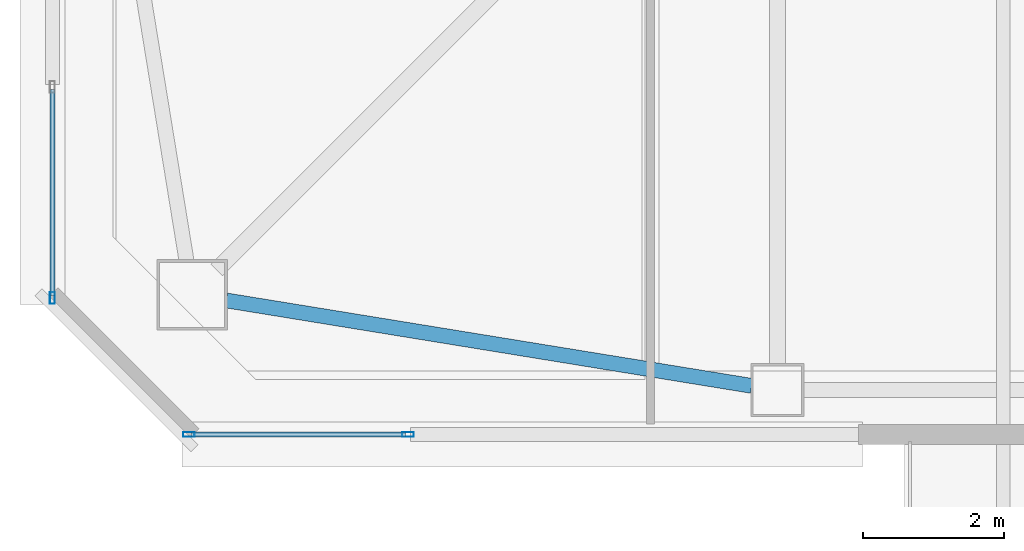
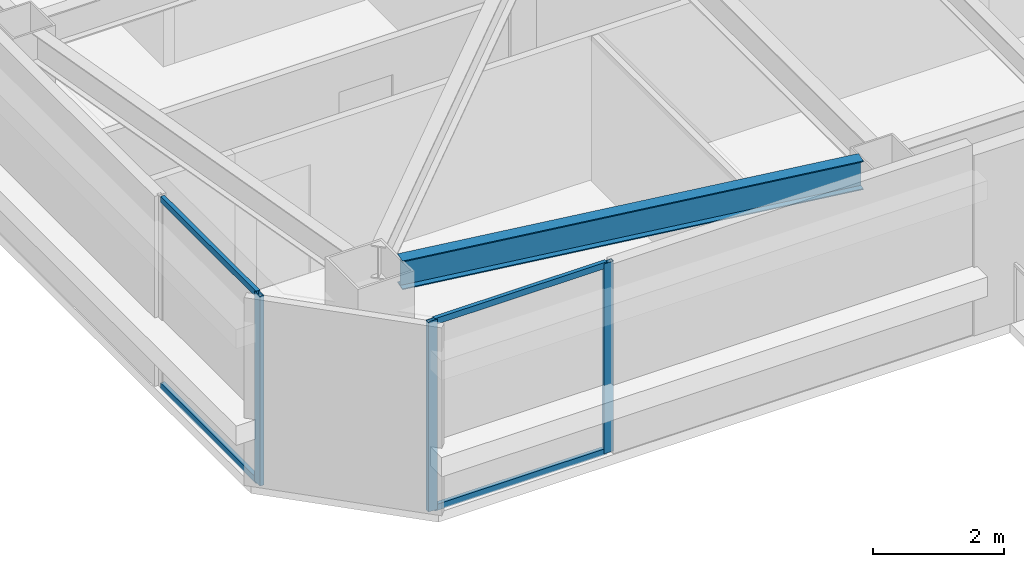
# One storey, part 3 of 36: 7 members, 1 beam, 2 elements without a shape of their own.
"""IFC4 building model written with IfcOpenShell, lengths in metres."""

from ifc_helpers import new_model, si_unit, direction, frame, origin, origin_2d, place, context, subcontext, project, spatial, hollow_rectangle, i_section, extrude, material, material_profile, profile_set, type_object, element, aggregate, save


model = new_model("IFC4")

# Units and contexts
model_context = context("Model", 3, precision=1e-05, world=origin(), true_north=direction((0.0, 1.0)))
body_context = subcontext(model_context, "Body", "Model", "MODEL_VIEW")
ifc_project = project(units=[si_unit("LENGTHUNIT", "METRE"), si_unit("AREAUNIT", "SQUARE_METRE"), si_unit("VOLUMEUNIT", "CUBIC_METRE"), si_unit("PLANEANGLEUNIT", "RADIAN"), si_unit("MASSUNIT", "GRAM", prefix="KILO")], contexts=[model_context])

# Site, building, storey
site_placement = place(None, origin())
site = spatial("IfcSite", under=ifc_project, at=site_placement, CompositionType="ELEMENT")
building_placement = place(site_placement, origin())
building = spatial("IfcBuilding", under=site, at=building_placement, Name="Tashvorn Skyway Center", CompositionType="ELEMENT")
storey_placement = place(building_placement, frame((0.0, 0.0, 236.14990234375)))
storey = spatial("IfcBuildingStorey", under=building, at=storey_placement, Name="L64", CompositionType="ELEMENT", Elevation=236.14990234375)

# Beam
ifc_material_1 = material(Name="Steel ASTM A992 Grade 50", Category="steel")
ifc_material_profile_1 = material_profile(ifc_material_1, i_section(OverallWidth=0.2109375, OverallDepth=0.5390625, WebThickness=0.01171875, FlangeThickness=0.018798828125, at=origin_2d()), Name="W21X73")
ifc_profile_set_1 = profile_set([ifc_material_profile_1], Name="Steel ASTM A992 Grade 50")
beam_type = type_object("IfcBeamType", Name="BM-SPANDREL-W21X73", PredefinedType="SPANDREL", material=ifc_profile_set_1)
beam_placement = place(storey_placement, frame((28.78857421875, 18.220458984375, 3.1005859375), z_axis=(0.987033514444, -0.160514302677, 0.0), x_axis=(0.160514302677, 0.987033514444, 0.0)))
element("IfcBeam", 1, at=beam_placement, inside=storey, type_object=beam_type, Name="Tower 1 L64 Spandrel Beam 01", PredefinedType="SPANDREL", context=body_context, shape_type="SweptSolid", body=[
    extrude(i_section(OverallWidth=0.2109375, OverallDepth=0.5390625, WebThickness=0.01171875, FlangeThickness=0.018798828125, at=origin_2d()), origin(), (0.0, 0.0, 1.0), 7.544189453125),
])

# Curtain wall, members
ifc_material_2 = material(Name="Thermally broken bronze-anodized aluminium 6063-T6", Category="aluminium")
curtain_wall_type = type_object("IfcCurtainWallType", Name="CW-CW-Z5", PredefinedType="NOTDEFINED", material=ifc_material_2)
curtain_wall_1_placement = place(storey_placement, origin())
curtain_wall_1 = element("IfcCurtainWall", 2, at=curtain_wall_1_placement, inside=storey, type_object=curtain_wall_type, Name="Tower 1 L64 South Curtain Wall R Glazing Group 1", PredefinedType="NOTDEFINED")
ifc_material_profile_2 = material_profile(ifc_material_2, hollow_rectangle(XDim=0.070068359375, YDim=0.1650390625, WallThickness=0.00390625, at=origin_2d()), Name="ALU-MULL-70x165")
ifc_profile_set_2 = profile_set([ifc_material_profile_2], Name="Thermally broken bronze-anodized aluminium 6063-T6")
member_type_1 = type_object("IfcMemberType", Name="CWM-CW-Z5", PredefinedType="MULLION", material=ifc_profile_set_2)
member_1_placement = place(storey_placement, frame((31.36181640625, 16.320068359375, 0.0), z_axis=(0.0, 0.0, 1.0), x_axis=(0.0, -1.0, 0.0)))
member_1 = element("IfcMember", 3, at=member_1_placement, type_object=member_type_1, Name="CW-Z5 mullion 1", PredefinedType="MULLION", context=body_context, shape_type="SweptSolid", body=[
    extrude(hollow_rectangle(XDim=0.070068359375, YDim=0.1650390625, WallThickness=0.00390625, at=origin_2d()), origin(), (0.0, 0.0, 1.0), 3.550048828125),
])
member_2_placement = place(storey_placement, frame((28.2548828125, 16.320068359375, 0.0), z_axis=(0.0, 0.0, 1.0), x_axis=(0.0, -1.0, 0.0)))
member_2 = element("IfcMember", 4, at=member_2_placement, type_object=member_type_1, Name="CW-Z5 mullion 2", PredefinedType="MULLION", context=body_context, shape_type="SweptSolid", body=[
    extrude(hollow_rectangle(XDim=0.070068359375, YDim=0.1650390625, WallThickness=0.00390625, at=origin_2d()), origin(), (0.0, 0.0, 1.0), 3.550048828125),
])

# Curtain wall, member
curtain_wall_2_placement = place(storey_placement, origin())
curtain_wall_2 = element("IfcCurtainWall", 5, at=curtain_wall_2_placement, inside=storey, type_object=curtain_wall_type, Name="Tower 1 L64 West Unitised Curtain Wall Glazing Group 1", PredefinedType="NOTDEFINED")
member_3_placement = place(storey_placement, frame((26.320068359375, 18.2548828125, 0.0), z_axis=(0.0, 0.0, 1.0), x_axis=(-1.0, 0.0, 0.0)))
member_3 = element("IfcMember", 6, at=member_3_placement, type_object=member_type_1, Name="CW-Z5 mullion 1", PredefinedType="MULLION", context=body_context, shape_type="SweptSolid", body=[
    extrude(hollow_rectangle(XDim=0.070068359375, YDim=0.1650390625, WallThickness=0.00390625, at=origin_2d()), origin(), (0.0, 0.0, 1.0), 3.550048828125),
])

# Member
ifc_material_profile_3 = material_profile(ifc_material_2, hollow_rectangle(XDim=0.070068359375, YDim=0.114990234375, WallThickness=0.00390625, at=origin_2d()), Name="ALU-TRAN-70x115")
ifc_profile_set_3 = profile_set([ifc_material_profile_3], Name="Thermally broken bronze-anodized aluminium 6063-T6")
member_type_2 = type_object("IfcMemberType", Name="CWT-CW-Z5", PredefinedType="USERDEFINED", material=ifc_profile_set_3)
member_4_placement = place(storey_placement, frame((31.32666015625, 16.320068359375, 0.03515625), z_axis=(-1.0, 0.0, 0.0), x_axis=(0.0, -1.0, 0.0)))
member_4 = element("IfcMember", 7, at=member_4_placement, type_object=member_type_2, Name="CW-Z5 transom 1.1", ObjectType="TRANSOM", PredefinedType="USERDEFINED", context=body_context, shape_type="SweptSolid", body=[
    extrude(hollow_rectangle(XDim=0.070068359375, YDim=0.114990234375, WallThickness=0.00390625, at=origin_2d()), origin(), (0.0, 0.0, 1.0), 3.03662109375),
])

member_5_placement = place(storey_placement, frame((31.32666015625, 16.320068359375, 3.51513671875), z_axis=(-1.0, 0.0, 0.0), x_axis=(0.0, -1.0, 0.0)))
member_5 = element("IfcMember", 8, at=member_5_placement, type_object=member_type_2, Name="CW-Z5 transom 1.2", ObjectType="TRANSOM", PredefinedType="USERDEFINED", context=body_context, shape_type="SweptSolid", body=[
    extrude(hollow_rectangle(XDim=0.070068359375, YDim=0.114990234375, WallThickness=0.00390625, at=origin_2d()), origin(), (0.0, 0.0, 1.0), 3.03662109375),
])

aggregate(curtain_wall_1, [member_1, member_2, member_4, member_5])

member_6_placement = place(storey_placement, frame((26.320068359375, 18.2900390625, 0.03515625), z_axis=(0.0, 1.0, 0.0), x_axis=(-1.0, 0.0, 0.0)))
member_6 = element("IfcMember", 9, at=member_6_placement, type_object=member_type_2, Name="CW-Z5 transom 1.1", ObjectType="TRANSOM", PredefinedType="USERDEFINED", context=body_context, shape_type="SweptSolid", body=[
    extrude(hollow_rectangle(XDim=0.070068359375, YDim=0.114990234375, WallThickness=0.00390625, at=origin_2d()), origin(), (0.0, 0.0, 1.0), 2.922119140625),
])

member_7_placement = place(storey_placement, frame((26.320068359375, 18.2900390625, 3.51513671875), z_axis=(0.0, 1.0, 0.0), x_axis=(-1.0, 0.0, 0.0)))
member_7 = element("IfcMember", 10, at=member_7_placement, type_object=member_type_2, Name="CW-Z5 transom 1.2", ObjectType="TRANSOM", PredefinedType="USERDEFINED", context=body_context, shape_type="SweptSolid", body=[
    extrude(hollow_rectangle(XDim=0.070068359375, YDim=0.114990234375, WallThickness=0.00390625, at=origin_2d()), origin(), (0.0, 0.0, 1.0), 2.922119140625),
])

aggregate(curtain_wall_2, [member_3, member_6, member_7])

save(model, "model.ifc")
